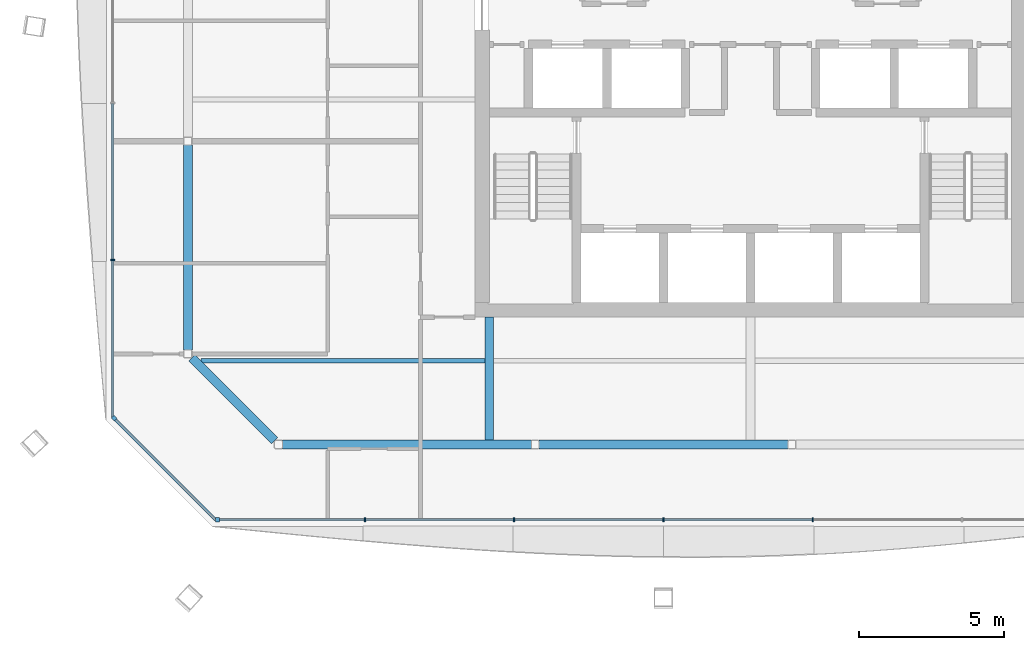
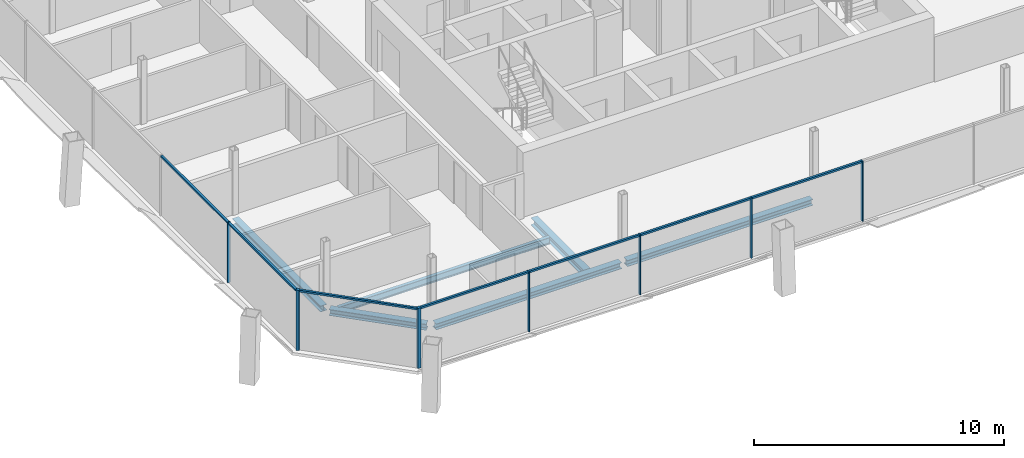
# One storey, part 4 of 18: 14 members, 6 beams, 3 elements without a shape of their own.
"""IFC4 building model written with IfcOpenShell, lengths in metres."""

from ifc_helpers import new_model, si_unit, direction, frame, origin, origin_2d, place, context, subcontext, project, spatial, rectangle, i_section, extrude, material, material_profile, profile_set, type_object, element, aggregate, save


model = new_model("IFC4")

# Units and contexts
model_context = context("Model", 3, precision=1e-05, world=origin(), true_north=direction((0.0, 1.0)))
body_context = subcontext(model_context, "Body", "Model", "MODEL_VIEW")
ifc_project = project(units=[si_unit("LENGTHUNIT", "METRE"), si_unit("AREAUNIT", "SQUARE_METRE"), si_unit("VOLUMEUNIT", "CUBIC_METRE"), si_unit("PLANEANGLEUNIT", "RADIAN"), si_unit("MASSUNIT", "GRAM", prefix="KILO")], contexts=[model_context])

# Site, building, storey
site_placement = place(None, origin())
site = spatial("IfcSite", under=ifc_project, at=site_placement, CompositionType="ELEMENT")
building_placement = place(site_placement, origin())
building = spatial("IfcBuilding", under=site, at=building_placement, Name="Tskaro Facet Tower", CompositionType="ELEMENT")
storey_placement = place(building_placement, frame((0.0, 0.0, 223.5)))
storey = spatial("IfcBuildingStorey", under=building, at=storey_placement, Name="L57", CompositionType="ELEMENT", Elevation=223.5)

# Curtain wall, member
ifc_material_1 = material(Name="Bronze anodised aluminium 6063-T6", Category="aluminium")
curtain_wall_type = type_object("IfcCurtainWallType", Name="Bronze residence curtain wall (FW3)", PredefinedType="NOTDEFINED", material=ifc_material_1)
curtain_wall_1_placement = place(storey_placement, origin())
curtain_wall_1 = element("IfcCurtainWall", 1, at=curtain_wall_1_placement, inside=storey, type_object=curtain_wall_type, Name="FW3 south facet L57", PredefinedType="NOTDEFINED")
ifc_material_profile_1 = material_profile(ifc_material_1, rectangle(XDim=0.139892578125, YDim=0.139892578125, at=origin_2d()), Name="Corner post 140x140")
ifc_profile_set_1 = profile_set([ifc_material_profile_1], Name="Bronze anodised aluminium 6063-T6")
member_type_1 = type_object("IfcMemberType", Name="FW3 bronze corner post 140x140", PredefinedType="MULLION", material=ifc_profile_set_1)
member_1_placement = place(storey_placement, frame((-18.364990234375, -18.985107421875, 0.0), z_axis=(0.0, 0.0, 1.0), x_axis=(1.0, 0.0, 0.0)))
member_1 = element("IfcMember", 2, at=member_1_placement, type_object=member_type_1, Name="FW3 south corner post", PredefinedType="MULLION", context=body_context, shape_type="SweptSolid", body=[
    extrude(rectangle(XDim=0.139892578125, YDim=0.139892578125, at=origin_2d()), origin(), (0.0, 0.0, 1.0), 2.949951171875),
])

curtain_wall_2_placement = place(storey_placement, origin())
curtain_wall_2 = element("IfcCurtainWall", 3, at=curtain_wall_2_placement, inside=storey, type_object=curtain_wall_type, Name="FW3 south-west facet L57", PredefinedType="NOTDEFINED")
member_2_placement = place(storey_placement, frame((-21.935546875, -15.484619140625, 0.0), z_axis=(0.0, 0.0, 1.0), x_axis=(0.707106781187, -0.707106781187, 0.0)))
member_2 = element("IfcMember", 4, at=member_2_placement, type_object=member_type_1, Name="FW3 south-west corner post", PredefinedType="MULLION", context=body_context, shape_type="SweptSolid", body=[
    extrude(rectangle(XDim=0.139892578125, YDim=0.139892578125, at=origin_2d()), origin(), (0.0, 0.0, 1.0), 2.949951171875),
])

# Member
ifc_material_profile_2 = material_profile(ifc_material_1, rectangle(XDim=0.050048828125, YDim=0.139892578125, at=origin_2d()), Name="Mullion 50x140")
ifc_profile_set_2 = profile_set([ifc_material_profile_2], Name="Bronze anodised aluminium 6063-T6")
member_type_2 = type_object("IfcMemberType", Name="FW3 bronze mullion 50x140", PredefinedType="MULLION", material=ifc_profile_set_2)
member_3_placement = place(storey_placement, frame((-13.2900390625, -18.985107421875, 0.0), z_axis=(0.0, 0.0, 1.0), x_axis=(1.0, 0.0, 0.0)))
member_3 = element("IfcMember", 5, at=member_3_placement, type_object=member_type_2, Name="FW3 south mullion 1", PredefinedType="MULLION", context=body_context, shape_type="SweptSolid", body=[
    extrude(rectangle(XDim=0.050048828125, YDim=0.139892578125, at=origin_2d()), origin(), (0.0, 0.0, 1.0), 2.949951171875),
])

member_4_placement = place(storey_placement, frame((-8.14501953125, -18.985107421875, 0.0), z_axis=(0.0, 0.0, 1.0), x_axis=(1.0, 0.0, 0.0)))
member_4 = element("IfcMember", 6, at=member_4_placement, type_object=member_type_2, Name="FW3 south mullion 2", PredefinedType="MULLION", context=body_context, shape_type="SweptSolid", body=[
    extrude(rectangle(XDim=0.050048828125, YDim=0.139892578125, at=origin_2d()), origin(), (0.0, 0.0, 1.0), 2.949951171875),
])

member_5_placement = place(storey_placement, frame((-3.0, -18.985107421875, 0.0), z_axis=(0.0, 0.0, 1.0), x_axis=(1.0, 0.0, 0.0)))
member_5 = element("IfcMember", 7, at=member_5_placement, type_object=member_type_2, Name="FW3 south mullion 3", PredefinedType="MULLION", context=body_context, shape_type="SweptSolid", body=[
    extrude(rectangle(XDim=0.050048828125, YDim=0.139892578125, at=origin_2d()), origin(), (0.0, 0.0, 1.0), 2.949951171875),
])

member_6_placement = place(storey_placement, frame((2.14501953125, -18.985107421875, 0.0), z_axis=(0.0, 0.0, 1.0), x_axis=(1.0, 0.0, 0.0)))
member_6 = element("IfcMember", 8, at=member_6_placement, type_object=member_type_2, Name="FW3 south mullion 4", PredefinedType="MULLION", context=body_context, shape_type="SweptSolid", body=[
    extrude(rectangle(XDim=0.050048828125, YDim=0.139892578125, at=origin_2d()), origin(), (0.0, 0.0, 1.0), 2.949951171875),
])

# Curtain wall, member
curtain_wall_3_placement = place(storey_placement, origin())
curtain_wall_3 = element("IfcCurtainWall", 9, at=curtain_wall_3_placement, inside=storey, type_object=curtain_wall_type, Name="FW3 west facet L57", PredefinedType="NOTDEFINED")
member_7_placement = place(storey_placement, frame((-21.985107421875, -10.026123046875, 0.0), z_axis=(0.0, 0.0, 1.0), x_axis=(0.0, -1.0, 0.0)))
member_7 = element("IfcMember", 10, at=member_7_placement, type_object=member_type_2, Name="FW3 west mullion 4", PredefinedType="MULLION", context=body_context, shape_type="SweptSolid", body=[
    extrude(rectangle(XDim=0.050048828125, YDim=0.139892578125, at=origin_2d()), origin(), (0.0, 0.0, 1.0), 2.949951171875),
])

# Member
ifc_material_profile_3 = material_profile(ifc_material_1, rectangle(XDim=0.10009765625, YDim=0.090087890625, at=origin_2d()), Name="Transom 100x90")
ifc_profile_set_3 = profile_set([ifc_material_profile_3], Name="Bronze anodised aluminium 6063-T6")
member_type_3 = type_object("IfcMemberType", Name="FW3 bronze transom 100x90", PredefinedType="USERDEFINED", material=ifc_profile_set_3)
member_8_placement = place(storey_placement, frame((-18.294921875, -18.985107421875, 2.905029296875), z_axis=(1.0, 0.0, 0.0), x_axis=(0.0, 1.0, 0.0)))
member_8 = element("IfcMember", 11, at=member_8_placement, type_object=member_type_3, Name="FW3 south transom 1.1", ObjectType="TRANSOM", PredefinedType="USERDEFINED", context=body_context, shape_type="SweptSolid", body=[
    extrude(rectangle(XDim=0.10009765625, YDim=0.090087890625, at=origin_2d()), origin(), (0.0, 0.0, 1.0), 4.97998046875),
])

member_9_placement = place(storey_placement, frame((-13.264892578125, -18.985107421875, 2.905029296875), z_axis=(1.0, 0.0, 0.0), x_axis=(0.0, 1.0, 0.0)))
member_9 = element("IfcMember", 12, at=member_9_placement, type_object=member_type_3, Name="FW3 south transom 2.1", ObjectType="TRANSOM", PredefinedType="USERDEFINED", context=body_context, shape_type="SweptSolid", body=[
    extrude(rectangle(XDim=0.10009765625, YDim=0.090087890625, at=origin_2d()), origin(), (0.0, 0.0, 1.0), 5.094970703125),
])

member_10_placement = place(storey_placement, frame((-8.1201171875, -18.985107421875, 2.905029296875), z_axis=(1.0, 0.0, 0.0), x_axis=(0.0, 1.0, 0.0)))
member_10 = element("IfcMember", 13, at=member_10_placement, type_object=member_type_3, Name="FW3 south transom 3.1", ObjectType="TRANSOM", PredefinedType="USERDEFINED", context=body_context, shape_type="SweptSolid", body=[
    extrude(rectangle(XDim=0.10009765625, YDim=0.090087890625, at=origin_2d()), origin(), (0.0, 0.0, 1.0), 5.09521484375),
])

member_11_placement = place(storey_placement, frame((-2.97509765625, -18.985107421875, 2.905029296875), z_axis=(1.0, 0.0, 0.0), x_axis=(0.0, 1.0, 0.0)))
member_11 = element("IfcMember", 14, at=member_11_placement, type_object=member_type_3, Name="FW3 south transom 4.1", ObjectType="TRANSOM", PredefinedType="USERDEFINED", context=body_context, shape_type="SweptSolid", body=[
    extrude(rectangle(XDim=0.10009765625, YDim=0.090087890625, at=origin_2d()), origin(), (0.0, 0.0, 1.0), 5.09521484375),
])

aggregate(curtain_wall_1, [member_1, member_3, member_4, member_5, member_6, member_8, member_9, member_10, member_11])

member_12_placement = place(storey_placement, frame((-21.985107421875, -4.642333984375, 2.905029296875), z_axis=(0.0, -1.0, 0.0), x_axis=(1.0, 0.0, 0.0)))
member_12 = element("IfcMember", 15, at=member_12_placement, type_object=member_type_3, Name="FW3 west transom 4.1", ObjectType="TRANSOM", PredefinedType="USERDEFINED", context=body_context, shape_type="SweptSolid", body=[
    extrude(rectangle(XDim=0.10009765625, YDim=0.090087890625, at=origin_2d()), origin(), (0.0, 0.0, 1.0), 5.35888671875),
])

member_13_placement = place(storey_placement, frame((-21.985107421875, -10.05126953125, 2.905029296875), z_axis=(0.0, -1.0, 0.0), x_axis=(1.0, 0.0, 0.0)))
member_13 = element("IfcMember", 16, at=member_13_placement, type_object=member_type_3, Name="FW3 west transom 5.1", ObjectType="TRANSOM", PredefinedType="USERDEFINED", context=body_context, shape_type="SweptSolid", body=[
    extrude(rectangle(XDim=0.10009765625, YDim=0.090087890625, at=origin_2d()), origin(), (0.0, 0.0, 1.0), 5.3837890625),
])

aggregate(curtain_wall_3, [member_7, member_12, member_13])

member_14_placement = place(storey_placement, frame((-21.885986328125, -15.533935546875, 2.905029296875), z_axis=(0.707081769008, -0.70713179248, 0.0), x_axis=(0.70713179248, 0.707081769008, 0.0)))
member_14 = element("IfcMember", 17, at=member_14_placement, type_object=member_type_3, Name="FW3 south-west transom 1.1", ObjectType="TRANSOM", PredefinedType="USERDEFINED", context=body_context, shape_type="SweptSolid", body=[
    extrude(rectangle(XDim=0.10009765625, YDim=0.090087890625, at=origin_2d()), origin(), (0.0, 0.0, 1.0), 4.880615234375),
])

aggregate(curtain_wall_2, [member_2, member_14])

# Beams
ifc_material_2 = material(Name="Steel S355J2", Category="steel")
ifc_material_profile_4 = material_profile(ifc_material_2, i_section(OverallWidth=0.300048828125, OverallDepth=0.300048828125, WebThickness=0.010986328125, FlangeThickness=0.01904296875, FilletRadius=0.027099609375, at=origin_2d()), Name="HE 300 B")
ifc_profile_set_4 = profile_set([ifc_material_profile_4], Name="Steel S355J2")
beam_type_1 = type_object("IfcBeamType", Name="HE 300 B ring beam", PredefinedType="BEAM", material=ifc_profile_set_4)
beam_1_placement = place(storey_placement, frame((-16.137939453125, -16.39111328125, -0.2900390625), z_axis=(1.0, 0.0, 0.0), x_axis=(0.0, 1.0, 0.0)))
element("IfcBeam", 18, at=beam_1_placement, inside=storey, type_object=beam_type_1, Name="HE 300 B EB1-5", PredefinedType="BEAM", context=body_context, shape_type="SweptSolid", body=[
    extrude(i_section(OverallWidth=0.300048828125, OverallDepth=0.300048828125, WebThickness=0.010986328125, FlangeThickness=0.01904296875, FilletRadius=0.027099609375, at=origin_2d()), origin(), (0.0, 0.0, 1.0), 8.5849609375),
])
beam_2_placement = place(storey_placement, frame((-7.29296875, -16.39111328125, -0.2900390625), z_axis=(1.0, 0.0, 0.0), x_axis=(0.0, 1.0, 0.0)))
element("IfcBeam", 19, at=beam_2_placement, inside=storey, type_object=beam_type_1, Name="HE 300 B EB2-5", PredefinedType="BEAM", context=body_context, shape_type="SweptSolid", body=[
    extrude(i_section(OverallWidth=0.300048828125, OverallDepth=0.300048828125, WebThickness=0.010986328125, FlangeThickness=0.01904296875, FilletRadius=0.027099609375, at=origin_2d()), origin(), (0.0, 0.0, 1.0), 8.5859375),
])
beam_3_placement = place(storey_placement, frame((-19.39111328125, -6.06689453125, -0.2900390625), z_axis=(0.0, -1.0, 0.0), x_axis=(1.0, 0.0, 0.0)))
element("IfcBeam", 20, at=beam_3_placement, inside=storey, type_object=beam_type_1, Name="HE 300 B EB16-5", PredefinedType="BEAM", context=body_context, shape_type="SweptSolid", body=[
    extrude(i_section(OverallWidth=0.300048828125, OverallDepth=0.300048828125, WebThickness=0.010986328125, FlangeThickness=0.01904296875, FilletRadius=0.027099609375, at=origin_2d()), origin(), (0.0, 0.0, 1.0), 7.071044921875),
])
beam_4_placement = place(storey_placement, frame((-19.255126953125, -13.40380859375, -0.2900390625), z_axis=(0.707106781187, -0.707106781187, 0.0), x_axis=(0.707106781187, 0.707106781187, 0.0)))
element("IfcBeam", 21, at=beam_4_placement, inside=storey, type_object=beam_type_1, Name="HE 300 B EB17-5", PredefinedType="BEAM", context=body_context, shape_type="SweptSolid", body=[
    extrude(i_section(OverallWidth=0.300048828125, OverallDepth=0.300048828125, WebThickness=0.010986328125, FlangeThickness=0.01904296875, FilletRadius=0.027099609375, at=origin_2d()), origin(), (0.0, 0.0, 1.0), 4.032470703125),
])
ifc_material_profile_5 = material_profile(ifc_material_2, i_section(OverallWidth=0.300048828125, OverallDepth=0.35009765625, WebThickness=0.010009765625, FlangeThickness=0.017578125, FilletRadius=0.027099609375, at=origin_2d()), Name="HE 360 A")
ifc_profile_set_5 = profile_set([ifc_material_profile_5], Name="Steel S355J2")
beam_type_2 = type_object("IfcBeamType", Name="HE 360 A girder", PredefinedType="BEAM", material=ifc_profile_set_5)
beam_5_placement = place(storey_placement, frame((-9.0, -16.240966796875, -0.31494140625), z_axis=(0.0, 1.0, 0.0), x_axis=(-1.0, 0.0, 0.0)))
element("IfcBeam", 22, at=beam_5_placement, inside=storey, type_object=beam_type_2, Name="HE 360 A GB3-1-5", PredefinedType="BEAM", context=body_context, shape_type="SweptSolid", body=[
    extrude(i_section(OverallWidth=0.300048828125, OverallDepth=0.35009765625, WebThickness=0.010009765625, FlangeThickness=0.017578125, FilletRadius=0.027099609375, at=origin_2d()), origin(), (0.0, 0.0, 1.0), 4.240966796875),
])
ifc_material_profile_6 = material_profile(ifc_material_2, i_section(OverallWidth=0.159912109375, OverallDepth=0.330078125, WebThickness=0.007568359375, FlangeThickness=0.011474609375, FilletRadius=0.01806640625, at=origin_2d()), Name="IPE 330")
ifc_profile_set_6 = profile_set([ifc_material_profile_6], Name="Steel S355J2")
beam_type_3 = type_object("IfcBeamType", Name="IPE 330 secondary beam", PredefinedType="BEAM", material=ifc_profile_set_6)
beam_6_placement = place(storey_placement, frame((-18.947021484375, -13.5, -0.304931640625), z_axis=(1.0, 0.0, 0.0), x_axis=(0.0, 1.0, 0.0)))
element("IfcBeam", 23, at=beam_6_placement, inside=storey, type_object=beam_type_3, Name="IPE 330 SB2a-1-5", PredefinedType="BEAM", context=body_context, shape_type="SweptSolid", body=[
    extrude(i_section(OverallWidth=0.159912109375, OverallDepth=0.330078125, WebThickness=0.007568359375, FlangeThickness=0.011474609375, FilletRadius=0.01806640625, at=origin_2d()), origin(), (0.0, 0.0, 1.0), 9.797119140625),
])

save(model, "model.ifc")
